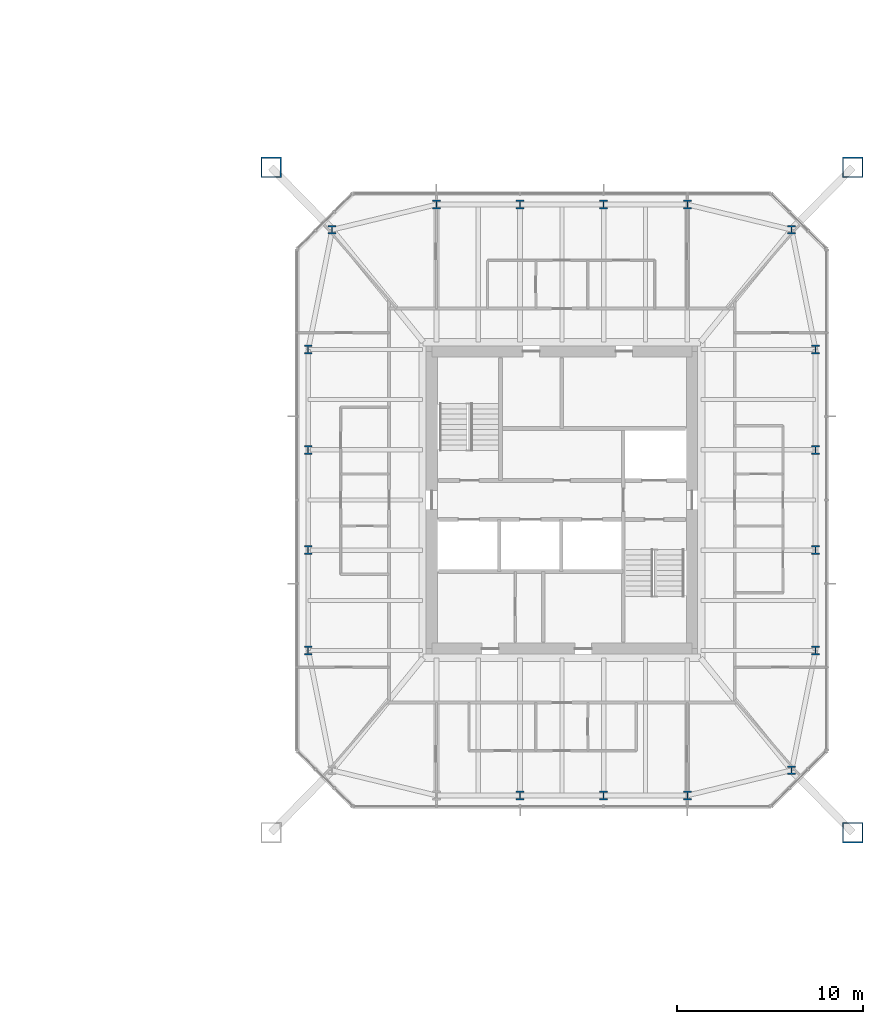
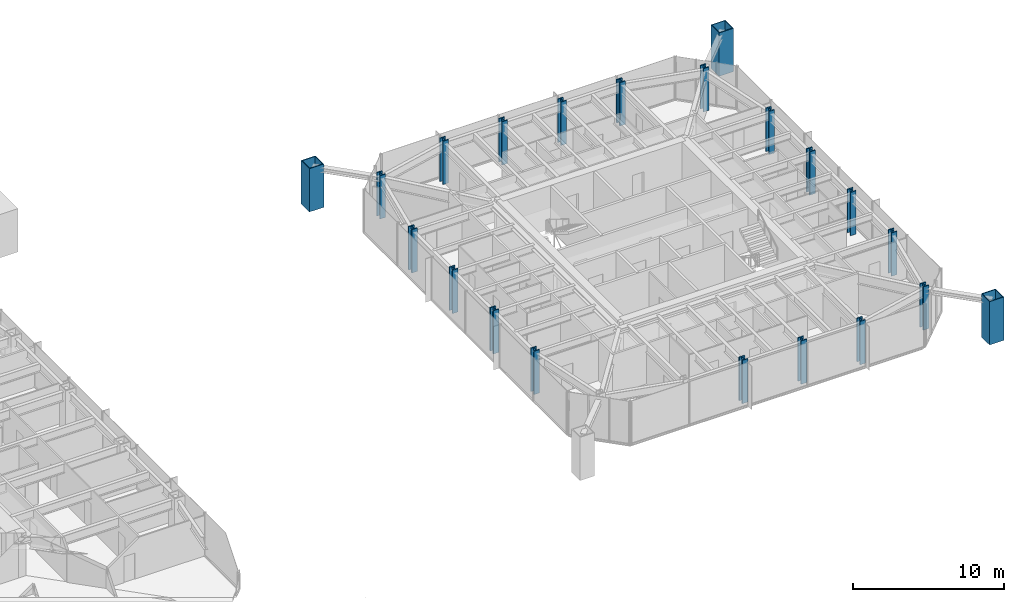
# One storey, part 2 of 25: 21 columns.
"""IFC4 building model written with IfcOpenShell, lengths in metres."""

from ifc_helpers import new_model, si_unit, direction, frame, origin, origin_2d, place, context, subcontext, project, spatial, hollow_rectangle, i_section, extrude, material, material_profile, profile_set, type_object, element, save


model = new_model("IFC4")

# Units and contexts
model_context = context("Model", 3, precision=1e-05, world=origin(), true_north=direction((0.0, 1.0)))
body_context = subcontext(model_context, "Body", "Model", "MODEL_VIEW")
ifc_project = project(units=[si_unit("LENGTHUNIT", "METRE"), si_unit("AREAUNIT", "SQUARE_METRE"), si_unit("VOLUMEUNIT", "CUBIC_METRE"), si_unit("PLANEANGLEUNIT", "RADIAN"), si_unit("MASSUNIT", "GRAM", prefix="KILO")], contexts=[model_context])

# Site, building, storey
site_placement = place(None, origin())
site = spatial("IfcSite", under=ifc_project, at=site_placement, CompositionType="ELEMENT")
building_placement = place(site_placement, origin())
building = spatial("IfcBuilding", under=site, at=building_placement, Name="Iwan Alto Co-Living Towers", CompositionType="ELEMENT")
storey_placement = place(building_placement, frame((0.0, 0.0, 119.0)))
storey = spatial("IfcBuildingStorey", under=building, at=storey_placement, Name="L32", CompositionType="ELEMENT", Elevation=119.0)

# Columns
ifc_material_1 = material(Name="Steel ASTM A572 Gr 50", Category="steel")
ifc_material_profile_1 = material_profile(ifc_material_1, hollow_rectangle(XDim=1.10009765625, YDim=1.10009765625, WallThickness=0.06005859375, at=origin_2d()), Name="BOX 1100X1100X60")
ifc_profile_set_1 = profile_set([ifc_material_profile_1], Name="Steel ASTM A572 Gr 50")
column_type_1 = type_object("IfcColumnType", Name="T2 MEGA COLUMN BOX 1100X1100X60", PredefinedType="COLUMN", material=ifc_profile_set_1)
for number, where, z_axis, x_axis, name in (
    (1, (78.64990234375, -17.89990234375, 0.0), (0.0, 0.0, 1.0), (1.0, 0.0, 0.0), "T2 mega column SE L32"),
    (2, (78.64990234375, 17.89990234375, 0.0), (0.0, 0.0, 1.0), (1.0, 0.0, 0.0), "T2 mega column NE L32"),
    (3, (47.35009765625, 17.89990234375, 0.0), (0.0, 0.0, 1.0), (1.0, 0.0, 0.0), "T2 mega column NW L32"),
):
    element("IfcColumn", number, at=place(storey_placement, frame(where, z_axis=z_axis, x_axis=x_axis)), inside=storey, type_object=column_type_1, Name=name, PredefinedType="COLUMN", context=body_context, shape_type="SweptSolid", body=[
        extrude(hollow_rectangle(XDim=1.10009765625, YDim=1.10009765625, WallThickness=0.06005859375, at=origin_2d()), origin(), (0.0, 0.0, 1.0), 3.5),
    ])
ifc_material_2 = material(Name="Steel ASTM A992 Gr 50", Category="steel")
ifc_material_profile_2 = material_profile(ifc_material_2, i_section(OverallWidth=0.4267578125, OverallDepth=0.482666015625, WebThickness=0.05126953125, FlangeThickness=0.08154296875, at=origin_2d()), Name="W14X455")
ifc_profile_set_2 = profile_set([ifc_material_profile_2], Name="Steel ASTM A992 Gr 50")
column_type_2 = type_object("IfcColumnType", Name="T2 RING COLUMN W14X455", PredefinedType="COLUMN", material=ifc_profile_set_2)
for number, where, z_axis, x_axis, name in (
    (4, (60.75, -15.89990234375, 0.0), (0.0, 0.0, 1.0), (1.0, 0.0, 0.0), "T2 ring column S2 L32"),
    (5, (65.25, -15.89990234375, 0.0), (0.0, 0.0, 1.0), (1.0, 0.0, 0.0), "T2 ring column S3 L32"),
    (6, (69.75, -15.89990234375, 0.0), (0.0, 0.0, 1.0), (1.0, 0.0, 0.0), "T2 ring column S4 L32"),
    (7, (75.361328125, -14.542724609375, 0.0), (0.0, 0.0, 1.0), (1.0, 0.0, 0.0), "T2 ring column CSE L32"),
    (8, (76.64990234375, -8.10009765625, 0.0), (0.0, 0.0, 1.0), (1.0, 0.0, 0.0), "T2 ring column E1 L32"),
    (9, (76.64990234375, -2.699951171875, 0.0), (0.0, 0.0, 1.0), (1.0, 0.0, 0.0), "T2 ring column E2 L32"),
    (10, (76.64990234375, 2.699951171875, 0.0), (0.0, 0.0, 1.0), (1.0, 0.0, 0.0), "T2 ring column E3 L32"),
    (11, (76.64990234375, 8.10009765625, 0.0), (0.0, 0.0, 1.0), (1.0, 0.0, 0.0), "T2 ring column E4 L32"),
    (12, (75.361328125, 14.542724609375, 0.0), (0.0, 0.0, 1.0), (1.0, 0.0, 0.0), "T2 ring column CNE L32"),
    (13, (69.75, 15.89990234375, 0.0), (0.0, 0.0, 1.0), (1.0, 0.0, 0.0), "T2 ring column N1 L32"),
    (14, (65.25, 15.89990234375, 0.0), (0.0, 0.0, 1.0), (1.0, 0.0, 0.0), "T2 ring column N2 L32"),
    (15, (60.75, 15.89990234375, 0.0), (0.0, 0.0, 1.0), (1.0, 0.0, 0.0), "T2 ring column N3 L32"),
    (16, (56.25, 15.89990234375, 0.0), (0.0, 0.0, 1.0), (1.0, 0.0, 0.0), "T2 ring column N4 L32"),
    (17, (50.638671875, 14.542724609375, 0.0), (0.0, 0.0, 1.0), (1.0, 0.0, 0.0), "T2 ring column CNW L32"),
    (18, (49.35009765625, 8.10009765625, 0.0), (0.0, 0.0, 1.0), (1.0, 0.0, 0.0), "T2 ring column W1 L32"),
    (19, (49.35009765625, 2.699951171875, 0.0), (0.0, 0.0, 1.0), (1.0, 0.0, 0.0), "T2 ring column W2 L32"),
    (20, (49.35009765625, -2.699951171875, 0.0), (0.0, 0.0, 1.0), (1.0, 0.0, 0.0), "T2 ring column W3 L32"),
    (21, (49.35009765625, -8.10009765625, 0.0), (0.0, 0.0, 1.0), (1.0, 0.0, 0.0), "T2 ring column W4 L32"),
):
    element("IfcColumn", number, at=place(storey_placement, frame(where, z_axis=z_axis, x_axis=x_axis)), inside=storey, type_object=column_type_2, Name=name, PredefinedType="COLUMN", context=body_context, shape_type="SweptSolid", body=[
        extrude(i_section(OverallWidth=0.4267578125, OverallDepth=0.482666015625, WebThickness=0.05126953125, FlangeThickness=0.08154296875, at=origin_2d()), origin(), (0.0, 0.0, 1.0), 3.5),
    ])

save(model, "model.ifc")
